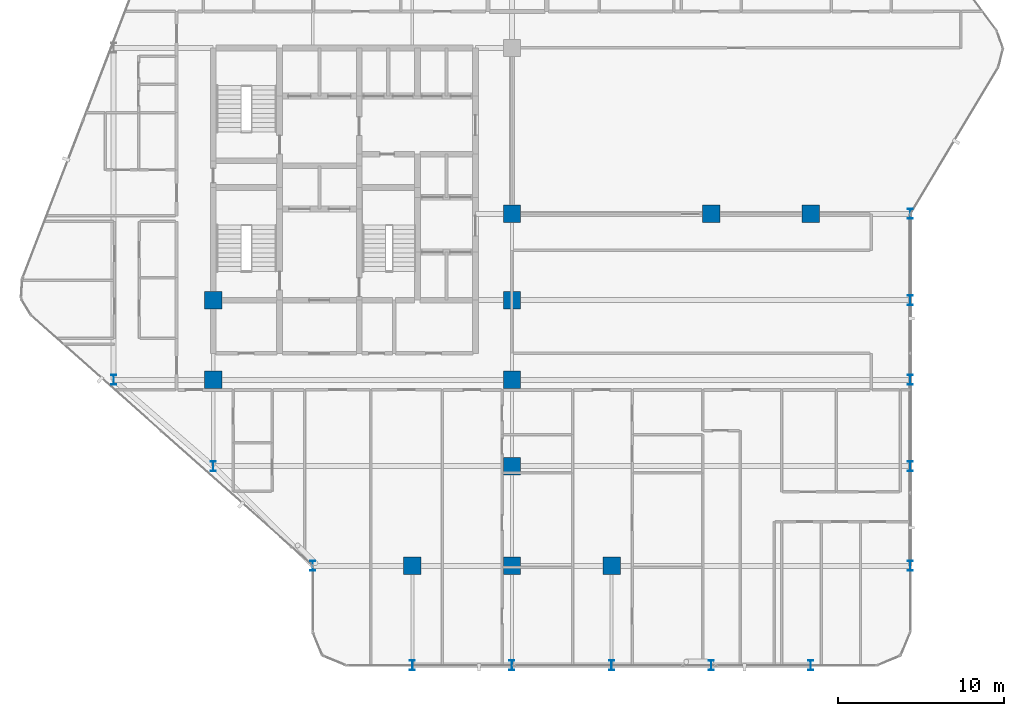
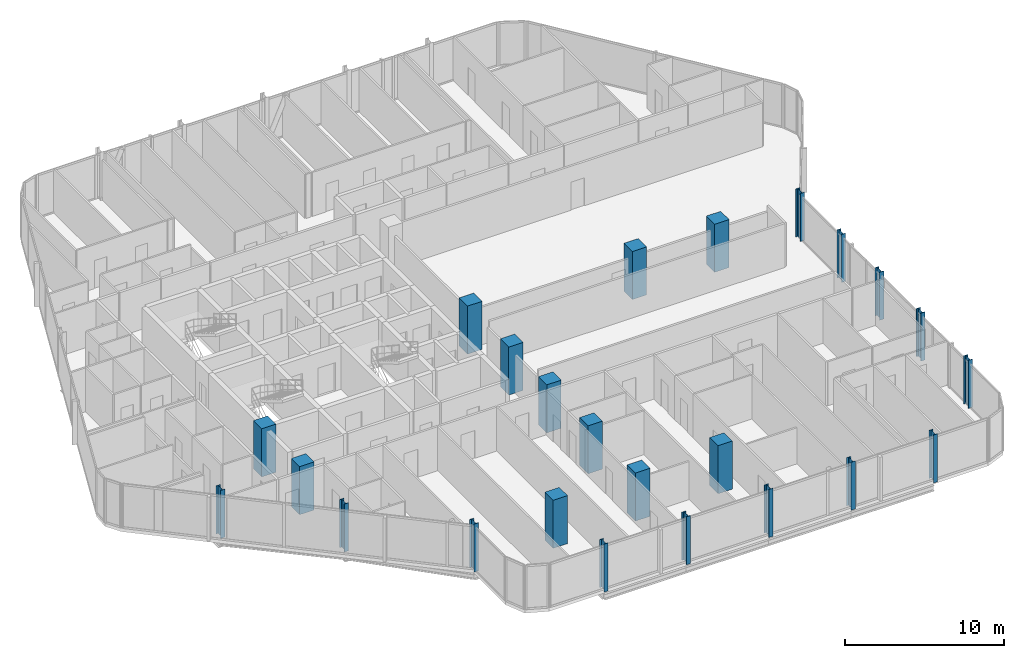
# One storey, part 1 of 30: 24 columns.
"""IFC4 building model written with IfcOpenShell, lengths in metres."""

import ifcopenshell
import ifcopenshell.guid

model = None  # the IFC model being written
_history = None  # IfcOwnerHistory: only IFC2X3 demands one
_inside = {}  # id of a spatial element -> (the spatial element, [elements in it])
_under = {}  # id of a project, library or spatial element -> (it, [spatial elements below it])
_declared = {}  # id of a project -> (the project, [libraries it declares])
_typed = {}  # id of a type object -> (the type object, [elements of that type])
_made_of = {}  # id of a material, layer set ... -> (it, [elements and type objects made of it])


def new_model(schema):
    """Start an empty IFC model of exactly this schema.

    Asked for "IFC4X3", IfcOpenShell would pick the latest addendum, in which some entities
    have other attributes; the version numbers below select the first issue.
    IFC2X3 requires an IfcOwnerHistory on every rooted entity: one is made here for all.
    """
    global model, _history
    if schema == "IFC4X3":
        model = ifcopenshell.file(schema_version=(4, 3, 0, 0))
    else:
        model = ifcopenshell.file(schema=schema)
    _inside.clear()
    _under.clear()
    _declared.clear()
    _typed.clear()
    _made_of.clear()
    _history = None
    if model.schema == "IFC2X3":
        org = make("IfcOrganization", Name="unknown")
        user = make(
            "IfcPersonAndOrganization",
            ThePerson=make("IfcPerson", FamilyName="unknown"),
            TheOrganization=org,
        )
        app = make(
            "IfcApplication",
            ApplicationDeveloper=org,
            Version="unknown",
            ApplicationFullName="unknown",
            ApplicationIdentifier="unknown",
        )
        _history = make(
            "IfcOwnerHistory",
            OwningUser=user,
            OwningApplication=app,
            ChangeAction="ADDED",
            CreationDate=0,
        )
    return model


def make(cls, **values):
    """One entity of the class cls with the attributes given. An attribute that is None is left unset."""
    return model.create_entity(
        cls, **{name: value for name, value in values.items() if value is not None}
    )


def rooted(cls, **values):
    """An entity with a GlobalId (a new one), such as an element, a storey or a relation."""
    return make(cls, GlobalId=ifcopenshell.guid.new(), OwnerHistory=_history, **values)


def si_unit(unit_type, name, prefix=None):
    """IfcSIUnit, for example si_unit("LENGTHUNIT", "METRE", prefix="MILLI")."""
    return make("IfcSIUnit", UnitType=unit_type, Prefix=prefix, Name=name)


def assignment(units):
    """IfcUnitAssignment: the units of a project."""
    return None if units is None else make("IfcUnitAssignment", Units=units)


def point(xyz):
    """IfcCartesianPoint."""
    return None if xyz is None else make("IfcCartesianPoint", Coordinates=xyz)


def direction(xyz):
    """IfcDirection."""
    return None if xyz is None else make("IfcDirection", DirectionRatios=xyz)


def frame(location, z_axis=None, x_axis=None):
    """IfcAxis2Placement3D, a coordinate frame: its origin and axes. An axis left out is left unset."""
    return make(
        "IfcAxis2Placement3D",
        Location=point(location),
        Axis=direction(z_axis),
        RefDirection=direction(x_axis),
    )


def frame_2d(location, x_axis=None):
    """IfcAxis2Placement2D, a coordinate frame in the plane: its origin and x axis."""
    return make(
        "IfcAxis2Placement2D", Location=point(location), RefDirection=direction(x_axis)
    )


def origin():
    """The frame at (0, 0, 0) with its axes left unset."""
    return frame((0.0, 0.0, 0.0))


def origin_2d():
    """The frame at (0, 0) in the plane with its x axis left unset."""
    return frame_2d((0.0, 0.0))


def place(relative_to, where):
    """IfcLocalPlacement: puts the frame where relative to a parent placement (None: the world)."""
    return make(
        "IfcLocalPlacement", PlacementRelTo=relative_to, RelativePlacement=where
    )


def context(
    kind, dimensions, precision=None, world=None, true_north=None, identifier=None
):
    """IfcGeometricRepresentationContext, for example the 3D "Model" context."""
    return make(
        "IfcGeometricRepresentationContext",
        ContextIdentifier=identifier,
        ContextType=kind,
        CoordinateSpaceDimension=dimensions,
        Precision=precision,
        WorldCoordinateSystem=world,
        TrueNorth=true_north,
    )


def subcontext(parent, identifier, kind, view, scale=None):
    """IfcGeometricRepresentationSubContext, for example "Body" below "Model"."""
    return make(
        "IfcGeometricRepresentationSubContext",
        ContextIdentifier=identifier,
        ContextType=kind,
        ParentContext=parent,
        TargetScale=scale,
        TargetView=view,
    )


def project(units=None, contexts=None):
    """IfcProject with its units and contexts."""
    return rooted(
        "IfcProject",
        Name="project",
        RepresentationContexts=contexts,
        UnitsInContext=assignment(units),
    )


def spatial(cls, under=None, at=None, **own):
    """A site, building, storey or space (cls), placed at a placement, below another one or the project."""
    s = rooted(cls, ObjectPlacement=at, **own)
    if under is not None:
        _under.setdefault(under.id(), (under, []))[1].append(s)
    return s


def profile(cls, at=None, kind="AREA", **sizes):
    """A parametric profile (cls). Its sizes go by their IFC names, for example OverallWidth=200.0."""
    return make(cls, ProfileType=kind, Position=at, **sizes)


def rectangle(**sizes):
    """IfcRectangleProfileDef."""
    return profile("IfcRectangleProfileDef", **sizes)


def i_section(**sizes):
    """IfcIShapeProfileDef."""
    return profile("IfcIShapeProfileDef", **sizes)


def extrude(swept, where, along, depth):
    """IfcExtrudedAreaSolid: the profile swept, set in the frame where, extruded along a direction by depth."""
    return make(
        "IfcExtrudedAreaSolid",
        SweptArea=swept,
        Position=where,
        ExtrudedDirection=direction(along),
        Depth=depth,
    )


def shape(context_of_items, identifier, shape_type, items):
    """IfcShapeRepresentation: the items that make up one representation, for example the "Body"."""
    return make(
        "IfcShapeRepresentation",
        ContextOfItems=context_of_items,
        RepresentationIdentifier=identifier,
        RepresentationType=shape_type,
        Items=items,
    )


def material(Name=None, Category=None):
    """IfcMaterial."""
    return make("IfcMaterial", Name=Name, Category=Category)


def material_profile(
    of_material, cross_section, Name=None, Category=None, Priority=None
):
    """IfcMaterialProfile: a cross section and its material."""
    return make(
        "IfcMaterialProfile",
        Name=Name,
        Material=of_material,
        Profile=cross_section,
        Priority=Priority,
        Category=Category,
    )


def profile_set(profiles, Name=None, composite=None):
    """IfcMaterialProfileSet."""
    return make(
        "IfcMaterialProfileSet",
        Name=Name,
        MaterialProfiles=profiles,
        CompositeProfile=composite,
    )


def made_of(thing, what):
    """Note that an element or type object is made of a material, layer set ...; save() writes the relation."""
    if what is not None:
        _made_of.setdefault(what.id(), (what, []))[1].append(thing)
    return thing


def type_object(cls, material=None, **own):
    """A type object (cls), such as IfcWallType, which elements share."""
    return made_of(rooted(cls, **own), material)


def element(
    cls,
    number,
    at=None,
    inside=None,
    cuts=None,
    type_object=None,
    material=None,
    context=None,
    identifier="Body",
    shape_type=None,
    held_by="IfcProductDefinitionShape",
    body=None,
    shapes=None,
    **own,
):
    """One element of the class cls, such as IfcWall. Its Tag is "e" and its number.

    at: its placement. inside: the storey or other place that contains it. cuts: it is an
    opening in that element (IfcRelVoidsElement). A single representation is given by context,
    identifier, shape_type and body (its items); several are given by shapes. held_by: the class
    of the entity that holds the representations. save() writes the other relations.
    """
    e = rooted(cls, Tag="e%d" % number, ObjectPlacement=at, **own)
    if body is not None:
        shapes = [shape(context, identifier, shape_type, body)]
    if shapes is not None:
        e.Representation = make(held_by, Representations=shapes)
    if inside is not None:
        _inside.setdefault(inside.id(), (inside, []))[1].append(e)
    if cuts is not None:
        rooted(
            "IfcRelVoidsElement", RelatingBuildingElement=cuts, RelatedOpeningElement=e
        )
    if type_object is not None:
        _typed.setdefault(type_object.id(), (type_object, []))[1].append(e)
    return made_of(e, material)


def aggregate(whole, parts):
    """IfcRelAggregates: a whole, such as a stair, and the parts it consists of."""
    return rooted("IfcRelAggregates", RelatingObject=whole, RelatedObjects=parts)


def save(model, path):
    """Write the relations noted so far, then the file.

    IfcRelAggregates (storeys below a building ...), IfcRelContainedInSpatialStructure (elements
    in a storey), IfcRelDefinesByType, IfcRelAssociatesMaterial and IfcRelDeclares: one each for
    every whole, place, type object, material and project.
    """
    for whole, parts in _under.values():
        aggregate(whole, parts)
    for where, things in _inside.values():
        rooted(
            "IfcRelContainedInSpatialStructure",
            RelatedElements=things,
            RelatingStructure=where,
        )
    for kind, things in _typed.values():
        rooted("IfcRelDefinesByType", RelatedObjects=things, RelatingType=kind)
    for what, things in _made_of.values():
        rooted("IfcRelAssociatesMaterial", RelatedObjects=things, RelatingMaterial=what)
    for by, libraries in _declared.values():
        rooted("IfcRelDeclares", RelatingContext=by, RelatedDefinitions=libraries)
    model.write(path)


model = new_model("IFC4")

# Units and contexts
model_context = context("Model", 3, precision=1e-05, world=origin(), true_north=direction((0.0, 1.0)))
body_context = subcontext(model_context, "Body", "Model", "MODEL_VIEW")
ifc_project = project(units=[si_unit("LENGTHUNIT", "METRE"), si_unit("AREAUNIT", "SQUARE_METRE"), si_unit("VOLUMEUNIT", "CUBIC_METRE"), si_unit("PLANEANGLEUNIT", "RADIAN"), si_unit("MASSUNIT", "GRAM", prefix="KILO")], contexts=[model_context])

# Site, building, storey
site_placement = place(None, origin())
site = spatial("IfcSite", under=ifc_project, at=site_placement, CompositionType="ELEMENT")
building_placement = place(site_placement, origin())
building = spatial("IfcBuilding", under=site, at=building_placement, Name="Keshet Zoharim Tower", CompositionType="ELEMENT")
storey_placement = place(building_placement, frame((0.0, 0.0, 116.800048828125)))
storey = spatial("IfcBuildingStorey", under=building, at=storey_placement, Name="L28", CompositionType="ELEMENT", Elevation=116.800048828125)

# Columns
ifc_material_1 = material(Name="Steel S355", Category="steel")
ifc_material_profile_1 = material_profile(ifc_material_1, i_section(OverallWidth=0.300048828125, OverallDepth=0.60009765625, WebThickness=0.015380859375, FlangeThickness=0.030029296875, FilletRadius=0.027099609375, at=origin_2d()), Name="HEB600")
ifc_profile_set_1 = profile_set([ifc_material_profile_1], Name="Steel S355")
column_type_1 = type_object("IfcColumnType", Name="COL-HEB600", PredefinedType="COLUMN", material=ifc_profile_set_1)
for number, where, z_axis, x_axis, name in (
    (1, (9.0, 17.89990234375, 0.0), (0.0, 0.0, 1.0), (1.0, 0.0, 0.0), "L28 Column 2D"),
    (2, (15.0, 12.699951171875, 0.0), (0.0, 0.0, 1.0), (1.0, 0.0, 0.0), "L28 Column 3C"),
    (3, (21.0, 6.699951171875, 0.0), (0.0, 0.0, 1.0), (1.0, 0.0, 0.0), "L28 Column 4B"),
    (4, (27.0, 0.699951171875, 0.0), (0.0, 0.0, 1.0), (1.0, 0.0, 0.0), "L28 Column 5A"),
    (5, (33.0, 0.699951171875, 0.0), (0.0, 0.0, 1.0), (1.0, 0.0, 0.0), "L28 Column 6A"),
    (6, (39.0, 0.699951171875, 0.0), (0.0, 0.0, 1.0), (1.0, 0.0, 0.0), "L28 Column 7A"),
    (7, (45.0, 0.699951171875, 0.0), (0.0, 0.0, 1.0), (1.0, 0.0, 0.0), "L28 Column 8A"),
    (8, (51.0, 0.699951171875, 0.0), (0.0, 0.0, 1.0), (1.0, 0.0, 0.0), "L28 Column 9A"),
    (9, (57.0, 6.699951171875, 0.0), (0.0, 0.0, 1.0), (1.0, 0.0, 0.0), "L28 Column 10B"),
    (10, (57.0, 12.699951171875, 0.0), (0.0, 0.0, 1.0), (1.0, 0.0, 0.0), "L28 Column 10C"),
    (11, (57.0, 17.89990234375, 0.0), (0.0, 0.0, 1.0), (1.0, 0.0, 0.0), "L28 Column 10D"),
    (12, (57.0, 22.699951171875, 0.0), (0.0, 0.0, 1.0), (1.0, 0.0, 0.0), "L28 Column 10E"),
    (13, (57.0, 27.89990234375, 0.0), (0.0, 0.0, 1.0), (1.0, 0.0, 0.0), "L28 Column 10F"),
):
    element("IfcColumn", number, at=place(storey_placement, frame(where, z_axis=z_axis, x_axis=x_axis)), inside=storey, type_object=column_type_1, Name=name, PredefinedType="COLUMN", context=body_context, shape_type="SweptSolid", body=[
        extrude(i_section(OverallWidth=0.300048828125, OverallDepth=0.60009765625, WebThickness=0.015380859375, FlangeThickness=0.030029296875, FilletRadius=0.027099609375, at=origin_2d()), origin(), (0.0, 0.0, 1.0), 3.699951171875),
    ])
ifc_material_2 = material(Name="Concrete C60/75", Category="concrete")
ifc_material_profile_2 = material_profile(ifc_material_2, rectangle(XDim=1.050048828125, YDim=1.050048828125, at=origin_2d()), Name="RC1050x1050")
ifc_profile_set_2 = profile_set([ifc_material_profile_2], Name="Concrete C60/75")
column_type_2 = type_object("IfcColumnType", Name="COL-RC1050", PredefinedType="COLUMN", material=ifc_profile_set_2)
for number, where, z_axis, x_axis, name in (
    (14, (15.0, 17.89990234375, 0.0), (0.0, 0.0, 1.0), (1.0, 0.0, 0.0), "L28 Column 3D"),
    (15, (15.0, 22.699951171875, 0.0), (0.0, 0.0, 1.0), (1.0, 0.0, 0.0), "L28 Column 3E"),
    (16, (27.0, 6.699951171875, 0.0), (0.0, 0.0, 1.0), (1.0, 0.0, 0.0), "L28 Column 5B"),
    (17, (33.0, 6.699951171875, 0.0), (0.0, 0.0, 1.0), (1.0, 0.0, 0.0), "L28 Column 6B"),
    (18, (33.0, 12.699951171875, 0.0), (0.0, 0.0, 1.0), (1.0, 0.0, 0.0), "L28 Column 6C"),
    (19, (33.0, 17.89990234375, 0.0), (0.0, 0.0, 1.0), (1.0, 0.0, 0.0), "L28 Column 6D"),
    (20, (33.0, 22.699951171875, 0.0), (0.0, 0.0, 1.0), (1.0, 0.0, 0.0), "L28 Column 6E"),
    (21, (33.0, 27.89990234375, 0.0), (0.0, 0.0, 1.0), (1.0, 0.0, 0.0), "L28 Column 6F"),
    (22, (39.0, 6.699951171875, 0.0), (0.0, 0.0, 1.0), (1.0, 0.0, 0.0), "L28 Column 7B"),
    (23, (45.0, 27.89990234375, 0.0), (0.0, 0.0, 1.0), (1.0, 0.0, 0.0), "L28 Column 8F"),
    (24, (51.0, 27.89990234375, 0.0), (0.0, 0.0, 1.0), (1.0, 0.0, 0.0), "L28 Column 9F"),
):
    element("IfcColumn", number, at=place(storey_placement, frame(where, z_axis=z_axis, x_axis=x_axis)), inside=storey, type_object=column_type_2, Name=name, PredefinedType="COLUMN", context=body_context, shape_type="SweptSolid", body=[
        extrude(rectangle(XDim=1.050048828125, YDim=1.050048828125, at=origin_2d()), origin(), (0.0, 0.0, 1.0), 3.699951171875),
    ])

save(model, "model.ifc")
